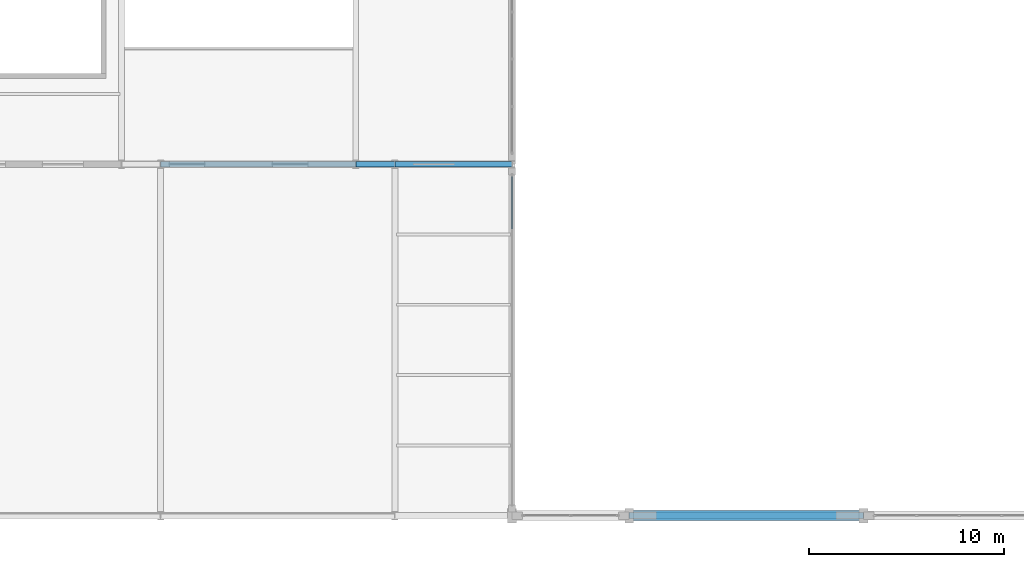
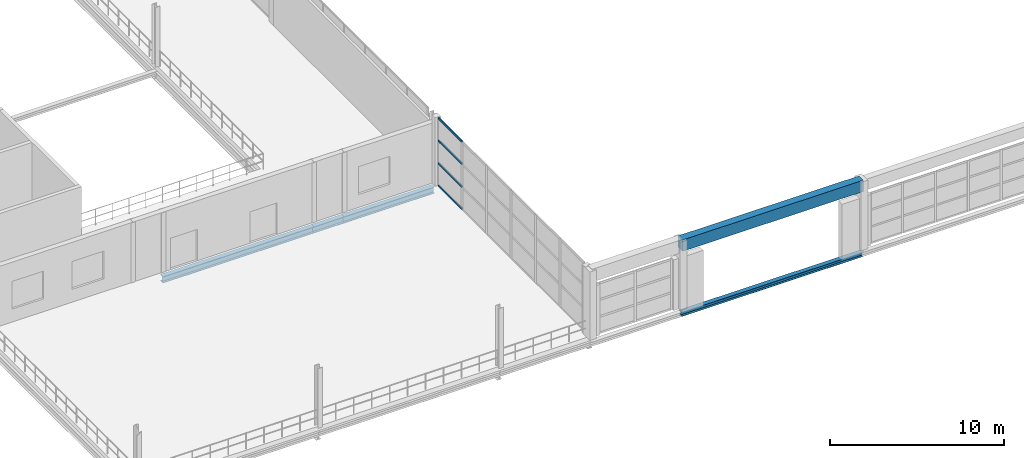
# One storey, part 42 of 147: 5 beams, 4 members, 1 element without a shape of its own.
"""IFC4 building model written with IfcOpenShell, lengths in metres."""

from ifc_helpers import new_model, si_unit, direction, frame, origin, origin_2d, place, context, subcontext, project, spatial, rectangle, hollow_rectangle, i_section, extrude, material, layer, layer_set, material_profile, profile_set, type_object, element, aggregate, save


model = new_model("IFC4")

# Units and contexts
model_context = context("Model", 3, precision=1e-05, world=origin(), true_north=direction((0.0, 1.0)))
body_context = subcontext(model_context, "Body", "Model", "MODEL_VIEW")
ifc_project = project(units=[si_unit("LENGTHUNIT", "METRE"), si_unit("AREAUNIT", "SQUARE_METRE"), si_unit("VOLUMEUNIT", "CUBIC_METRE"), si_unit("PLANEANGLEUNIT", "RADIAN"), si_unit("MASSUNIT", "GRAM", prefix="KILO")], contexts=[model_context])

# Site, building, storey
site_placement = place(None, origin())
site = spatial("IfcSite", under=ifc_project, at=site_placement, CompositionType="ELEMENT")
building_placement = place(site_placement, origin())
building = spatial("IfcBuilding", under=site, at=building_placement, Name="Zilviju Railside Exhibition Hall", CompositionType="ELEMENT")
storey_placement = place(building_placement, frame((0.0, 0.0, 8.39990234375)))
storey = spatial("IfcBuildingStorey", under=building, at=storey_placement, Name="L03", CompositionType="ELEMENT", Elevation=8.39990234375)

# Beams
ifc_material_1 = material(Name="Steel S355J2", Category="steel")
ifc_material_profile_1 = material_profile(ifc_material_1, i_section(OverallWidth=0.300048828125, OverallDepth=0.2900390625, WebThickness=0.008544921875, FlangeThickness=0.013916015625, at=origin_2d()), Name="HEA 300")
ifc_profile_set_1 = profile_set([ifc_material_profile_1], Name="Steel S355J2")
beam_type_1 = type_object("IfcBeamType", Name="BM-HEA300", PredefinedType="SPANDREL", material=ifc_profile_set_1)
beam_1_placement = place(storey_placement, frame((84.0, 0.0, -0.48486328125), z_axis=(1.0, 0.0, 0.0), x_axis=(0.0, 1.0, 0.0)))
element("IfcBeam", 1, at=beam_1_placement, inside=storey, type_object=beam_type_1, Name="Primary Girder L03 Y=0.0 (84.0..96.0)", PredefinedType="SPANDREL", context=body_context, shape_type="SweptSolid", body=[
    extrude(i_section(OverallWidth=0.300048828125, OverallDepth=0.2900390625, WebThickness=0.008544921875, FlangeThickness=0.013916015625, at=origin_2d()), origin(), (0.0, 0.0, 1.0), 12.0),
])
ifc_material_profile_2 = material_profile(ifc_material_1, i_section(OverallWidth=0.300048828125, OverallDepth=0.449951171875, WebThickness=0.013916015625, FlangeThickness=0.02587890625, at=origin_2d()), Name="HEB 450")
ifc_profile_set_2 = profile_set([ifc_material_profile_2], Name="Steel S355J2")
beam_type_2 = type_object("IfcBeamType", Name="BM-HEB450", PredefinedType="BEAM", material=ifc_profile_set_2)
beam_2_placement = place(storey_placement, frame((60.0, 18.0, -0.574951171875), z_axis=(1.0, 0.0, 0.0), x_axis=(0.0, 1.0, 0.0)))
element("IfcBeam", 2, at=beam_2_placement, inside=storey, type_object=beam_type_2, Name="Primary Girder L03 Y=18.0 (60.0..70.0)", PredefinedType="BEAM", context=body_context, shape_type="SweptSolid", body=[
    extrude(i_section(OverallWidth=0.300048828125, OverallDepth=0.449951171875, WebThickness=0.013916015625, FlangeThickness=0.02587890625, at=origin_2d()), origin(), (0.0, 0.0, 1.0), 10.0),
])
beam_3_placement = place(storey_placement, frame((70.0, 18.0, -0.574951171875), z_axis=(1.0, 0.0, 0.0), x_axis=(0.0, 1.0, 0.0)))
element("IfcBeam", 3, at=beam_3_placement, inside=storey, type_object=beam_type_2, Name="Primary Girder L03 Y=18.0 (70.0..72.0)", PredefinedType="BEAM", context=body_context, shape_type="SweptSolid", body=[
    extrude(i_section(OverallWidth=0.300048828125, OverallDepth=0.449951171875, WebThickness=0.013916015625, FlangeThickness=0.02587890625, at=origin_2d()), origin(), (0.0, 0.0, 1.0), 2.0),
])
beam_4_placement = place(storey_placement, frame((72.0, 18.0, -0.574951171875), z_axis=(1.0, 0.0, 0.0), x_axis=(0.0, 1.0, 0.0)))
element("IfcBeam", 4, at=beam_4_placement, inside=storey, type_object=beam_type_2, Name="Primary Girder L03 Y=18.0 (72.0..78.0)", PredefinedType="BEAM", context=body_context, shape_type="SweptSolid", body=[
    extrude(i_section(OverallWidth=0.300048828125, OverallDepth=0.449951171875, WebThickness=0.013916015625, FlangeThickness=0.02587890625, at=origin_2d()), origin(), (0.0, 0.0, 1.0), 6.0),
])
ifc_material_2 = material(Name="Concrete C35/45", Category="concrete")
ifc_material_profile_3 = material_profile(ifc_material_2, rectangle(XDim=0.5, YDim=0.800048828125, at=origin_2d()), Name="RC BEAM 500x800")
ifc_profile_set_3 = profile_set([ifc_material_profile_3], Name="Concrete C35/45")
beam_type_3 = type_object("IfcBeamType", Name="BM-RC-500x800", PredefinedType="BEAM", material=ifc_profile_set_3)
beam_5_placement = place(storey_placement, frame((84.0, 0.0, 4.400146484375), z_axis=(1.0, 0.0, 0.0), x_axis=(0.0, 1.0, 0.0)))
element("IfcBeam", 5, at=beam_5_placement, inside=storey, type_object=beam_type_3, Name="Eave & Portal Spandrel Lintel 003", PredefinedType="BEAM", context=body_context, shape_type="SweptSolid", body=[
    extrude(rectangle(XDim=0.5, YDim=0.800048828125, at=origin_2d()), origin(), (0.0, 0.0, 1.0), 12.0),
])

# Curtain wall, members
ifc_material_3 = material(Name="Thermally broken aluminium-steel triple-glazed curtain wall", Category="steel")
ifc_layer = layer(ifc_material_3, 0.179931640625)
ifc_layer_set = layer_set([ifc_layer], Name="Thermally broken aluminium-steel triple-glazed curtain wall")
curtain_wall_type = type_object("IfcCurtainWallType", Name="CW-BAY-19", PredefinedType="USERDEFINED", material=ifc_layer_set)
curtain_wall_placement = place(storey_placement, origin())
curtain_wall = element("IfcCurtainWall", 6, at=curtain_wall_placement, inside=storey, type_object=curtain_wall_type, Name="South Hall West Upper Glazed Gable (0..18)", ObjectType="GLAZED CURTAIN WALL", PredefinedType="USERDEFINED")
ifc_material_4 = material(Name="Thermally broken anodized aluminium transom", Category="aluminium")
ifc_material_profile_4 = material_profile(ifc_material_4, hollow_rectangle(XDim=0.074951171875, YDim=0.139892578125, WallThickness=0.0048828125, at=origin_2d()), Name="TRANSOM 140x75x5")
ifc_profile_set_4 = profile_set([ifc_material_profile_4], Name="Thermally broken anodized aluminium transom")
member_type = type_object("IfcMemberType", Name="CWT-75x140", PredefinedType="USERDEFINED", material=ifc_profile_set_4)
member_1_placement = place(storey_placement, frame((78.0, 14.6708984375, 0.03759765625), z_axis=(0.0, 1.0, 0.0), x_axis=(-1.0, 0.0, 0.0)))
member_1 = element("IfcMember", 7, at=member_1_placement, type_object=member_type, Name="CW-19 transom 6.1", ObjectType="TRANSOM", PredefinedType="USERDEFINED", context=body_context, shape_type="SweptSolid", body=[
    extrude(hollow_rectangle(XDim=0.074951171875, YDim=0.139892578125, WallThickness=0.0048828125, at=origin_2d()), origin(), (0.0, 0.0, 1.0), 2.7041015625),
])
member_2_placement = place(storey_placement, frame((78.0, 14.6708984375, 1.60009765625), z_axis=(0.0, 1.0, 0.0), x_axis=(-1.0, 0.0, 0.0)))
member_2 = element("IfcMember", 8, at=member_2_placement, type_object=member_type, Name="CW-19 transom 6.2", ObjectType="TRANSOM", PredefinedType="USERDEFINED", context=body_context, shape_type="SweptSolid", body=[
    extrude(hollow_rectangle(XDim=0.074951171875, YDim=0.139892578125, WallThickness=0.0048828125, at=origin_2d()), origin(), (0.0, 0.0, 1.0), 2.7041015625),
])
member_3_placement = place(storey_placement, frame((78.0, 14.6708984375, 3.2001953125), z_axis=(0.0, 1.0, 0.0), x_axis=(-1.0, 0.0, 0.0)))
member_3 = element("IfcMember", 9, at=member_3_placement, type_object=member_type, Name="CW-19 transom 6.3", ObjectType="TRANSOM", PredefinedType="USERDEFINED", context=body_context, shape_type="SweptSolid", body=[
    extrude(hollow_rectangle(XDim=0.074951171875, YDim=0.139892578125, WallThickness=0.0048828125, at=origin_2d()), origin(), (0.0, 0.0, 1.0), 2.7041015625),
])
member_4_placement = place(storey_placement, frame((78.0, 14.6708984375, 4.7626953125), z_axis=(0.0, 1.0, 0.0), x_axis=(-1.0, 0.0, 0.0)))
member_4 = element("IfcMember", 10, at=member_4_placement, type_object=member_type, Name="CW-19 transom 6.4", ObjectType="TRANSOM", PredefinedType="USERDEFINED", context=body_context, shape_type="SweptSolid", body=[
    extrude(hollow_rectangle(XDim=0.074951171875, YDim=0.139892578125, WallThickness=0.0048828125, at=origin_2d()), origin(), (0.0, 0.0, 1.0), 2.7041015625),
])
aggregate(curtain_wall, [member_1, member_2, member_3, member_4])

save(model, "model.ifc")
